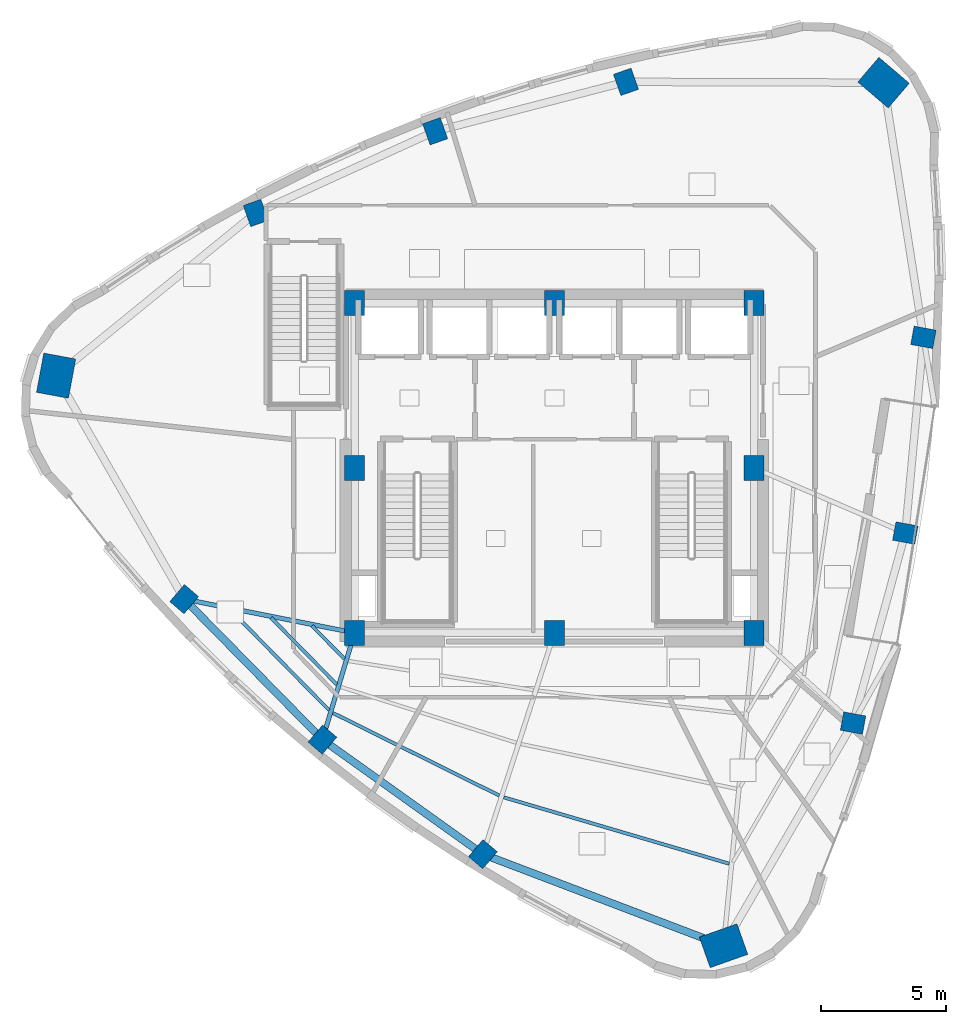
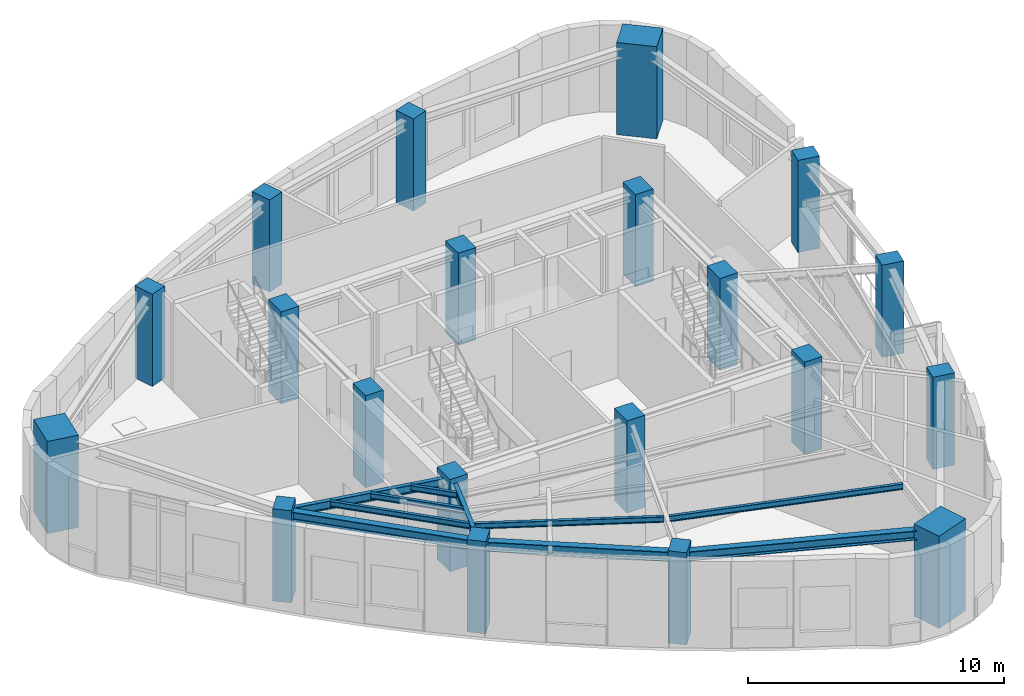
# One storey, part 1 of 14: 20 columns, 10 beams.
"""IFC4 building model written with IfcOpenShell, lengths in metres."""

from ifc_helpers import new_model, si_unit, direction, frame, origin, origin_2d, place, context, subcontext, project, spatial, rectangle, i_section, extrude, material, material_profile, profile_set, type_object, element, save


model = new_model("IFC4")

# Units and contexts
model_context = context("Model", 3, precision=1e-05, world=origin(), true_north=direction((0.0, 1.0)))
body_context = subcontext(model_context, "Body", "Model", "MODEL_VIEW")
ifc_project = project(units=[si_unit("LENGTHUNIT", "METRE"), si_unit("AREAUNIT", "SQUARE_METRE"), si_unit("VOLUMEUNIT", "CUBIC_METRE"), si_unit("PLANEANGLEUNIT", "RADIAN"), si_unit("MASSUNIT", "GRAM", prefix="KILO")], contexts=[model_context])

# Site, building, storey
site_placement = place(None, origin())
site = spatial("IfcSite", under=ifc_project, at=site_placement, CompositionType="ELEMENT")
building_placement = place(site_placement, origin())
building = spatial("IfcBuilding", under=site, at=building_placement, Name="Ndelora Gate Hotel", CompositionType="ELEMENT")
storey_placement = place(building_placement, frame((0.0, 0.0, 277.199951171875)))
storey = spatial("IfcBuildingStorey", under=building, at=storey_placement, Name="L69", CompositionType="ELEMENT", Elevation=277.199951171875)

# Columns
ifc_material_1 = material(Name="Concrete C50/60", Category="concrete")
ifc_material_profile_1 = material_profile(ifc_material_1, rectangle(XDim=0.800048828125, YDim=1.0, at=origin_2d()), Name="RC 1000x800")
ifc_profile_set_1 = profile_set([ifc_material_profile_1], Name="Concrete C50/60")
column_type_1 = type_object("IfcColumnType", Name="COL-CC-HI", PredefinedType="COLUMN", material=ifc_profile_set_1)
for number, where, z_axis, x_axis, name in (
    (1, (-8.0, -6.60009765625, 0.0), (0.0, 0.0, 1.0), (1.0, 0.0, 0.0), "L69 Core Column CC1"),
    (2, (0.0, -6.60009765625, 0.0), (0.0, 0.0, 1.0), (1.0, 0.0, 0.0), "L69 Core Column CC2"),
    (3, (8.0, -6.60009765625, 0.0), (0.0, 0.0, 1.0), (1.0, 0.0, 0.0), "L69 Core Column CC3"),
    (4, (8.0, 0.0, 0.0), (0.0, 0.0, 1.0), (1.0, 0.0, 0.0), "L69 Core Column CC4"),
    (5, (8.0, 6.60009765625, 0.0), (0.0, 0.0, 1.0), (1.0, 0.0, 0.0), "L69 Core Column CC5"),
    (6, (0.0, 6.60009765625, 0.0), (0.0, 0.0, 1.0), (1.0, 0.0, 0.0), "L69 Core Column CC6"),
    (7, (-8.0, 6.60009765625, 0.0), (0.0, 0.0, 1.0), (1.0, 0.0, 0.0), "L69 Core Column CC7"),
    (8, (-8.0, 0.0, 0.0), (0.0, 0.0, 1.0), (1.0, 0.0, 0.0), "L69 Core Column CC8"),
):
    element("IfcColumn", number, at=place(storey_placement, frame(where, z_axis=z_axis, x_axis=x_axis)), inside=storey, type_object=column_type_1, Name=name, PredefinedType="COLUMN", context=body_context, shape_type="SweptSolid", body=[
        extrude(rectangle(XDim=0.800048828125, YDim=1.0, at=origin_2d()), origin(), (0.0, 0.0, 1.0), 4.400146484375),
    ])
ifc_material_profile_2 = material_profile(ifc_material_1, rectangle(XDim=1.300048828125, YDim=1.60009765625, at=origin_2d()), Name="RC 1600x1300")
ifc_profile_set_2 = profile_set([ifc_material_profile_2], Name="Concrete C50/60")
column_type_2 = type_object("IfcColumnType", Name="COL-MC-Z4", PredefinedType="COLUMN", material=ifc_profile_set_2)
for number, where, z_axis, x_axis, name in (
    (9, (-19.949951171875, 3.697509765625, 0.0), (0.0, 0.0, 1.0), (-0.983254907564, 0.182235525492, 0.0), "L69 Corner Mega-Column R1"),
    (10, (6.772705078125, -19.1259765625, 0.0), (0.0, 0.0, 1.0), (-0.333806859234, 0.942641491092, 0.0), "L69 Corner Mega-Column R5"),
    (11, (13.177001953125, 15.428466796875, 0.0), (0.0, 0.0, 1.0), (0.64944804833, 0.7604059656, 0.0), "L69 Corner Mega-Column R9"),
):
    element("IfcColumn", number, at=place(storey_placement, frame(where, z_axis=z_axis, x_axis=x_axis)), inside=storey, type_object=column_type_2, Name=name, PredefinedType="COLUMN", context=body_context, shape_type="SweptSolid", body=[
        extrude(rectangle(XDim=1.300048828125, YDim=1.60009765625, at=origin_2d()), origin(), (0.0, 0.0, 1.0), 4.400146484375),
    ])
ifc_material_profile_3 = material_profile(ifc_material_1, rectangle(XDim=0.75, YDim=0.89990234375, at=origin_2d()), Name="RC 900x750")
ifc_profile_set_3 = profile_set([ifc_material_profile_3], Name="Concrete C50/60")
column_type_3 = type_object("IfcColumnType", Name="COL-PT-Z4", PredefinedType="COLUMN", material=ifc_profile_set_3)
for number, where, z_axis, x_axis, name in (
    (12, (-14.822509765625, -5.248779296875, 0.0), (0.0, 0.0, 1.0), (-0.7604059656, 0.64944804833, 0.0), "L69 Perimeter Tube Column R2"),
    (13, (-9.2890625, -10.876220703125, 0.0), (0.0, 0.0, 1.0), (-0.7604059656, 0.64944804833, 0.0), "L69 Perimeter Tube Column R3"),
    (14, (-2.865478515625, -15.461181640625, 0.0), (0.0, 0.0, 1.0), (-0.7604059656, 0.64944804833, 0.0), "L69 Perimeter Tube Column R4"),
    (15, (11.956787109375, -10.212158203125, 0.0), (0.0, 0.0, 1.0), (0.182235525492, 0.983254907564, 0.0), "L69 Perimeter Tube Column R6"),
    (16, (14.0498046875, -2.60400390625, 0.0), (0.0, 0.0, 1.0), (0.182235525492, 0.983254907564, 0.0), "L69 Perimeter Tube Column R7"),
    (17, (14.77490234375, 5.232177734375, 0.0), (0.0, 0.0, 1.0), (0.182235525492, 0.983254907564, 0.0), "L69 Perimeter Tube Column R8"),
    (18, (2.865478515625, 15.461181640625, 0.0), (0.0, 0.0, 1.0), (0.942641491092, 0.333806859234, 0.0), "L69 Perimeter Tube Column R10"),
    (19, (-4.7744140625, 13.482666015625, 0.0), (0.0, 0.0, 1.0), (0.942641491092, 0.333806859234, 0.0), "L69 Perimeter Tube Column R11"),
    (20, (-11.956787109375, 10.212158203125, 0.0), (0.0, 0.0, 1.0), (0.942641491092, 0.333806859234, 0.0), "L69 Perimeter Tube Column R12"),
):
    element("IfcColumn", number, at=place(storey_placement, frame(where, z_axis=z_axis, x_axis=x_axis)), inside=storey, type_object=column_type_3, Name=name, PredefinedType="COLUMN", context=body_context, shape_type="SweptSolid", body=[
        extrude(rectangle(XDim=0.75, YDim=0.89990234375, at=origin_2d()), origin(), (0.0, 0.0, 1.0), 4.400146484375),
    ])

# Beams
ifc_material_2 = material(Name="Steel S355", Category="steel")
ifc_material_profile_4 = material_profile(ifc_material_2, i_section(OverallWidth=0.135009765625, OverallDepth=0.27001953125, WebThickness=0.006591796875, FlangeThickness=0.01025390625, FilletRadius=0.014892578125, at=origin_2d()), Name="IPE 270")
ifc_profile_set_4 = profile_set([ifc_material_profile_4], Name="Steel S355")
beam_type_1 = type_object("IfcBeamType", Name="BM-JST-270", PredefinedType="JOIST", material=ifc_profile_set_4)
beam_1_placement = place(storey_placement, frame((-9.70361328125, -6.320068359375, 4.01513671875), z_axis=(0.701148889104, -0.713014891365, 0.0), x_axis=(0.713014891365, 0.701148889104, 0.0)))
element("IfcBeam", 21, at=beam_1_placement, inside=storey, type_object=beam_type_1, Name="L69 Secondary Composite Floor Joist IN-2", PredefinedType="JOIST", context=body_context, shape_type="SweptSolid", body=[
    extrude(i_section(OverallWidth=0.135009765625, OverallDepth=0.27001953125, WebThickness=0.006591796875, FlangeThickness=0.01025390625, FilletRadius=0.014892578125, at=origin_2d()), origin(), (0.0, 0.0, 1.0), 1.851806640625),
])
beam_2_placement = place(storey_placement, frame((-11.341064453125, -5.995849609375, 4.01513671875), z_axis=(0.701150996754, -0.713012818785, 0.0), x_axis=(0.713012818785, 0.701150996754, 0.0)))
element("IfcBeam", 22, at=beam_2_placement, inside=storey, type_object=beam_type_1, Name="L69 Secondary Composite Floor Joist MID-2", PredefinedType="JOIST", context=body_context, shape_type="SweptSolid", body=[
    extrude(i_section(OverallWidth=0.135009765625, OverallDepth=0.27001953125, WebThickness=0.006591796875, FlangeThickness=0.01025390625, FilletRadius=0.014892578125, at=origin_2d()), origin(), (0.0, 0.0, 1.0), 3.745849609375),
])
beam_3_placement = place(storey_placement, frame((-12.978515625, -5.67138671875, 4.01513671875), z_axis=(0.701130048955, -0.713033417486, 0.0), x_axis=(0.713033417486, 0.701130048955, 0.0)))
element("IfcBeam", 23, at=beam_3_placement, inside=storey, type_object=beam_type_1, Name="L69 Secondary Composite Floor Joist OUT-2", PredefinedType="JOIST", context=body_context, shape_type="SweptSolid", body=[
    extrude(i_section(OverallWidth=0.135009765625, OverallDepth=0.27001953125, WebThickness=0.006591796875, FlangeThickness=0.01025390625, FilletRadius=0.014892578125, at=origin_2d()), origin(), (0.0, 0.0, 1.0), 5.640380859375),
])
beam_4_placement = place(storey_placement, frame((-8.864501953125, -9.808837890625, 4.01513671875), z_axis=(0.895678939113, -0.444701290788, 0.0), x_axis=(0.444701290788, 0.895678939113, 0.0)))
element("IfcBeam", 24, at=beam_4_placement, inside=storey, type_object=beam_type_1, Name="L69 Secondary Composite Floor Joist OUT-3", PredefinedType="JOIST", context=body_context, shape_type="SweptSolid", body=[
    extrude(i_section(OverallWidth=0.135009765625, OverallDepth=0.27001953125, WebThickness=0.006591796875, FlangeThickness=0.01025390625, FilletRadius=0.014892578125, at=origin_2d()), origin(), (0.0, 0.0, 1.0), 7.4296875),
])
beam_5_placement = place(storey_placement, frame((-2.0244140625, -13.185546875, 4.01513671875), z_axis=(0.959300565601, -0.282387012517, 0.0), x_axis=(0.282387012517, 0.959300565601, 0.0)))
element("IfcBeam", 25, at=beam_5_placement, inside=storey, type_object=beam_type_1, Name="L69 Secondary Composite Floor Joist OUT-4", PredefinedType="JOIST", context=body_context, shape_type="SweptSolid", body=[
    extrude(i_section(OverallWidth=0.135009765625, OverallDepth=0.27001953125, WebThickness=0.006591796875, FlangeThickness=0.01025390625, FilletRadius=0.014892578125, at=origin_2d()), origin(), (0.0, 0.0, 1.0), 9.403076171875),
])
ifc_material_profile_5 = material_profile(ifc_material_2, i_section(OverallWidth=0.179931640625, OverallDepth=0.39990234375, WebThickness=0.008544921875, FlangeThickness=0.013427734375, FilletRadius=0.02099609375, at=origin_2d()), Name="IPE 400")
ifc_profile_set_5 = profile_set([ifc_material_profile_5], Name="Steel S355")
beam_type_2 = type_object("IfcBeamType", Name="BM-RAD-400", PredefinedType="BEAM", material=ifc_profile_set_5)
beam_6_placement = place(storey_placement, frame((-8.0, -6.60009765625, 3.949951171875), z_axis=(-0.980943509294, 0.194293158846, 0.0), x_axis=(-0.194293158846, -0.980943509294, 0.0)))
element("IfcBeam", 26, at=beam_6_placement, inside=storey, type_object=beam_type_2, Name="L69 Radial Floor Girder 2", PredefinedType="BEAM", context=body_context, shape_type="SweptSolid", body=[
    extrude(i_section(OverallWidth=0.179931640625, OverallDepth=0.39990234375, WebThickness=0.008544921875, FlangeThickness=0.013427734375, FilletRadius=0.02099609375, at=origin_2d()), origin(), (0.0, 0.0, 1.0), 6.955078125),
])
beam_7_placement = place(storey_placement, frame((-8.0, -6.60009765625, 3.949951171875), z_axis=(-0.288626468578, -0.957441779763, 0.0), x_axis=(0.957441779763, -0.288626468578, 0.0)))
element("IfcBeam", 27, at=beam_7_placement, inside=storey, type_object=beam_type_2, Name="L69 Radial Floor Girder 3", PredefinedType="BEAM", context=body_context, shape_type="SweptSolid", body=[
    extrude(i_section(OverallWidth=0.179931640625, OverallDepth=0.39990234375, WebThickness=0.008544921875, FlangeThickness=0.013427734375, FilletRadius=0.02099609375, at=origin_2d()), origin(), (0.0, 0.0, 1.0), 4.46630859375),
])
ifc_material_profile_6 = material_profile(ifc_material_2, i_section(OverallWidth=0.300048828125, OverallDepth=0.449951171875, WebThickness=0.013916015625, FlangeThickness=0.02587890625, FilletRadius=0.027099609375, at=origin_2d()), Name="HEB 450")
ifc_profile_set_6 = profile_set([ifc_material_profile_6], Name="Steel S355")
beam_type_3 = type_object("IfcBeamType", Name="BM-RING-450", PredefinedType="SPANDREL", material=ifc_profile_set_6)
beam_8_placement = place(storey_placement, frame((-14.822509765625, -5.248779296875, 3.925048828125), z_axis=(0.701126845775, -0.713036567179, 0.0), x_axis=(0.713036567179, 0.701126845775, 0.0)))
element("IfcBeam", 28, at=beam_8_placement, inside=storey, type_object=beam_type_3, Name="L69 Perimeter Spandrel Girder 2", PredefinedType="SPANDREL", context=body_context, shape_type="SweptSolid", body=[
    extrude(i_section(OverallWidth=0.300048828125, OverallDepth=0.449951171875, WebThickness=0.013916015625, FlangeThickness=0.02587890625, FilletRadius=0.027099609375, at=origin_2d()), origin(), (0.0, 0.0, 1.0), 7.892333984375),
])
beam_9_placement = place(storey_placement, frame((-9.2890625, -10.876220703125, 3.925048828125), z_axis=(0.813931993272, -0.580960162428, 0.0), x_axis=(0.580960162428, 0.813931993272, 0.0)))
element("IfcBeam", 29, at=beam_9_placement, inside=storey, type_object=beam_type_3, Name="L69 Perimeter Spandrel Girder 3", PredefinedType="SPANDREL", context=body_context, shape_type="SweptSolid", body=[
    extrude(i_section(OverallWidth=0.300048828125, OverallDepth=0.449951171875, WebThickness=0.013916015625, FlangeThickness=0.02587890625, FilletRadius=0.027099609375, at=origin_2d()), origin(), (0.0, 0.0, 1.0), 7.89208984375),
])
beam_10_placement = place(storey_placement, frame((-2.865478515625, -15.461181640625, 3.925048828125), z_axis=(0.934709973152, -0.355411403997, 0.0), x_axis=(0.355411403997, 0.934709973152, 0.0)))
element("IfcBeam", 30, at=beam_10_placement, inside=storey, type_object=beam_type_3, Name="L69 Perimeter Spandrel Girder 4", PredefinedType="SPANDREL", context=body_context, shape_type="SweptSolid", body=[
    extrude(i_section(OverallWidth=0.300048828125, OverallDepth=0.449951171875, WebThickness=0.013916015625, FlangeThickness=0.02587890625, FilletRadius=0.027099609375, at=origin_2d()), origin(), (0.0, 0.0, 1.0), 10.3115234375),
])

save(model, "model.ifc")
